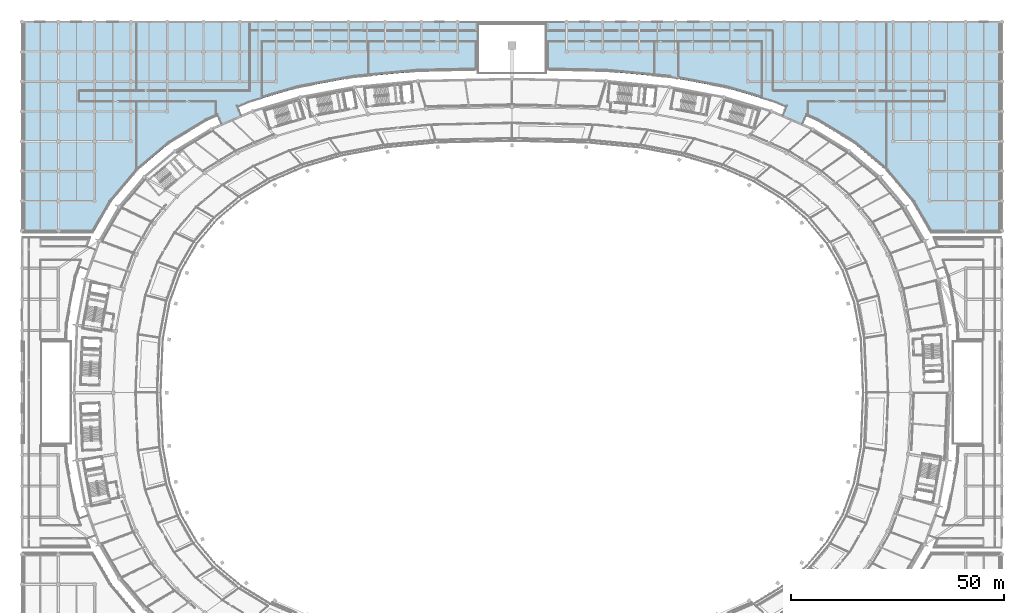
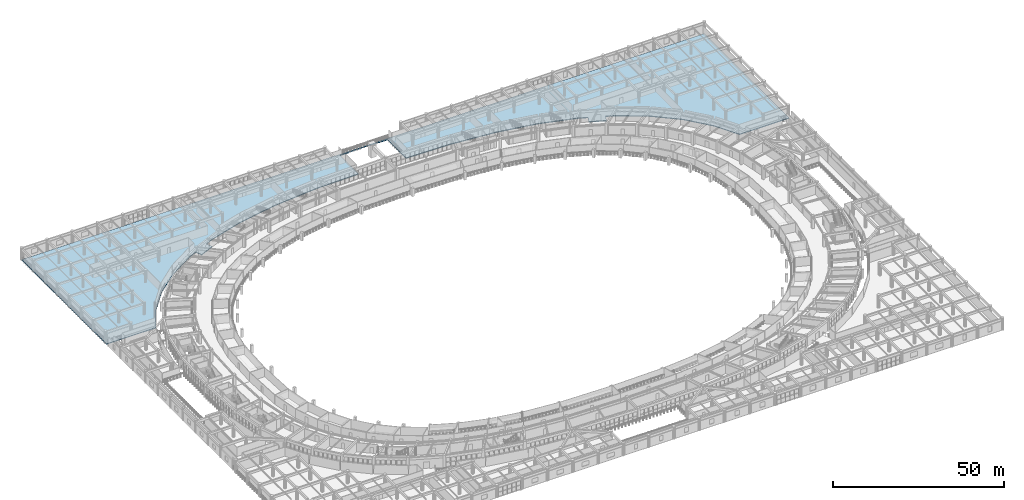
# One storey, part 84 of 141: 1 slab.
"""IFC4 building model written with IfcOpenShell, lengths in metres."""

from ifc_helpers import new_model, si_unit, direction, frame, origin, place, context, subcontext, project, spatial, polyline, outline, extrude, material, layer, layer_set, type_object, element, save


model = new_model("IFC4")

# Units and contexts
model_context = context("Model", 3, precision=1e-05, world=origin(), true_north=direction((0.0, 1.0)))
body_context = subcontext(model_context, "Body", "Model", "MODEL_VIEW")
ifc_project = project(units=[si_unit("LENGTHUNIT", "METRE"), si_unit("AREAUNIT", "SQUARE_METRE"), si_unit("VOLUMEUNIT", "CUBIC_METRE"), si_unit("PLANEANGLEUNIT", "RADIAN"), si_unit("MASSUNIT", "GRAM", prefix="KILO")], contexts=[model_context])

# Site, building, storey
site_placement = place(None, origin())
site = spatial("IfcSite", under=ifc_project, at=site_placement, CompositionType="ELEMENT")
building_placement = place(site_placement, origin())
building = spatial("IfcBuilding", under=site, at=building_placement, Name="Mphavela Belvedere Stadium", CompositionType="ELEMENT")
storey_placement = place(building_placement, frame((0.0, 0.0, 14.699951171875)))
storey = spatial("IfcBuildingStorey", under=building, at=storey_placement, Name="L03", CompositionType="ELEMENT", Elevation=14.699951171875)

# Slab
ifc_material = material(Name="Concrete C40/50", Category="concrete")
ifc_layer = layer(ifc_material, 0.260009765625)
ifc_layer_set = layer_set([ifc_layer], Name="Concrete C40/50")
slab_type = type_object("IfcSlabType", Name="SLB-PAVILION-260", PredefinedType="FLOOR", material=ifc_layer_set)
slab_placement = place(storey_placement, frame((0.0, 0.0, -0.260009765625)))
element("IfcSlab", 1, at=slab_placement, inside=storey, type_object=slab_type, Name="North Mast and Ceremonial End Forecourt floor slab L03-1", PredefinedType="FLOOR", context=body_context, shape_type="SweptSolid", body=[
    extrude(outline(polyline([(213.346435546875, 124.5), (209.147216796875, 131.7626953125), (209.042236328125, 131.9267578125), (208.92333984375, 132.080810546875), (203.019287109375, 139.072998046875), (202.893798828125, 139.20947265625), (202.757080078125, 139.3349609375), (195.574462890625, 145.39599609375), (195.4404296875, 145.500244140625), (195.299072265625, 145.593994140625), (186.839599609375, 150.740478515625), (186.5712890625, 150.87939453125), (184.077392578125, 151.96044921875), (183.202392578125, 149.94189453125), (178.431396484375, 152.01025390625), (179.306396484375, 154.02880859375), (176.8125, 155.10986328125), (176.563720703125, 155.2001953125), (165.42724609375, 158.505859375), (165.2041015625, 158.559814453125), (152.4755859375, 160.93017578125), (152.281494140625, 160.95751953125), (137.323486328125, 162.3837890625), (137.162109375, 162.393310546875), (123.0, 162.6982421875), (123.0, 173.5), (120.199951171875, 173.5), (120.199951171875, 173.699951171875), (109.800048828125, 173.699951171875), (109.800048828125, 173.5), (107.0, 173.5), (107.0, 162.6982421875), (92.837890625, 162.393310546875), (92.676513671875, 162.3837890625), (77.718505859375, 160.95751953125), (77.5244140625, 160.93017578125), (64.7958984375, 158.559814453125), (64.57275390625, 158.505859375), (53.436279296875, 155.2001953125), (53.1875, 155.10986328125), (50.693603515625, 154.02880859375), (51.568603515625, 152.01025390625), (46.797607421875, 149.94189453125), (45.922607421875, 151.96044921875), (43.4287109375, 150.87939453125), (43.160400390625, 150.740478515625), (34.700927734375, 145.593994140625), (34.5595703125, 145.500244140625), (34.425537109375, 145.39599609375), (27.242919921875, 139.3349609375), (27.106201171875, 139.20947265625), (26.980712890625, 139.072998046875), (21.07666015625, 132.080810546875), (20.957763671875, 131.9267578125), (20.852783203125, 131.7626953125), (16.653564453125, 124.5), (0.0, 124.5), (0.0, 174.0), (230.0, 174.0), (230.0, 124.5), (213.346435546875, 124.5)])), origin(), (0.0, 0.0, 1.0), 0.260009765625),
])

save(model, "model.ifc")
